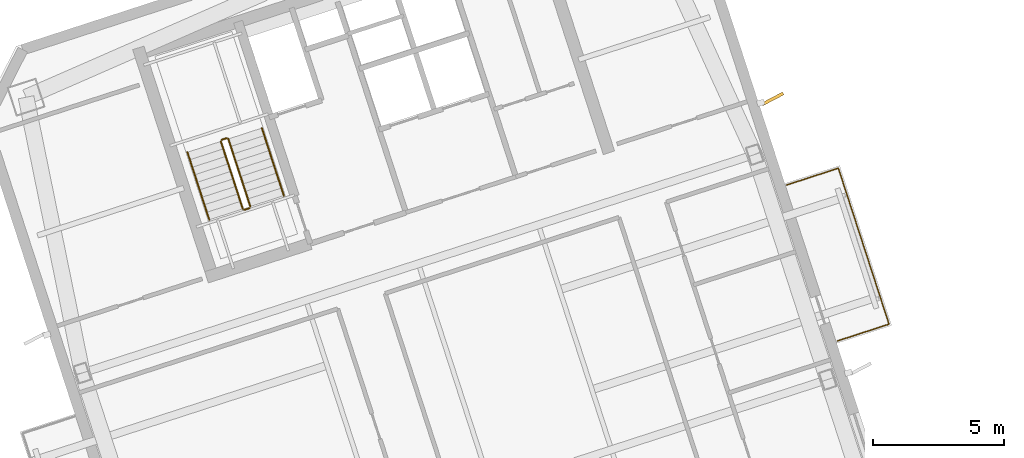
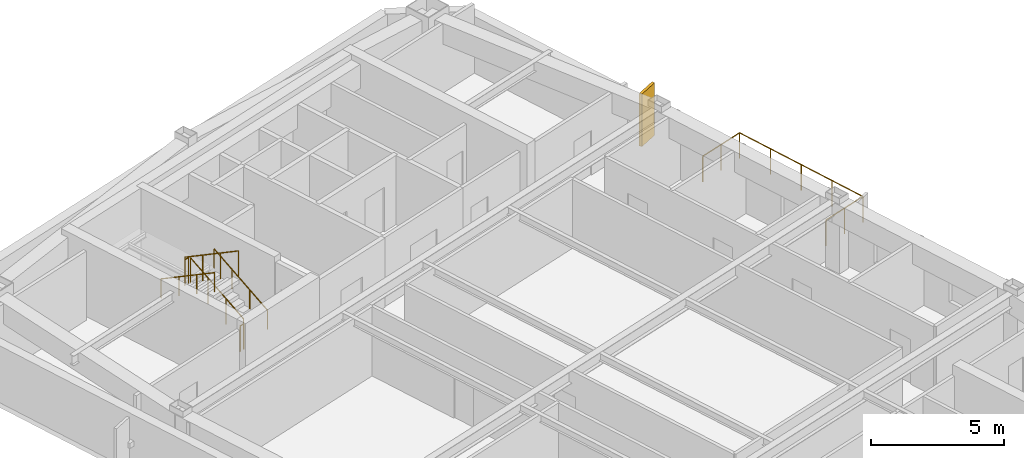
# One storey, part 17 of 17: 7 railings, 1 shading device.
"""IFC4 building model written with IfcOpenShell, lengths in metres."""

from ifc_helpers import new_model, si_unit, direction, frame, origin, origin_2d, place, context, subcontext, project, spatial, rectangle, circle, extrude, material, layer, layer_set, type_object, element, save


model = new_model("IFC4")

# Units and contexts
model_context = context("Model", 3, precision=1e-05, world=origin(), true_north=direction((0.0, 1.0)))
body_context = subcontext(model_context, "Body", "Model", "MODEL_VIEW")
ifc_project = project(units=[si_unit("LENGTHUNIT", "METRE"), si_unit("AREAUNIT", "SQUARE_METRE"), si_unit("VOLUMEUNIT", "CUBIC_METRE"), si_unit("PLANEANGLEUNIT", "RADIAN"), si_unit("MASSUNIT", "GRAM", prefix="KILO")], contexts=[model_context])

# Site, building, storey
site_placement = place(None, origin())
site = spatial("IfcSite", under=ifc_project, at=site_placement, CompositionType="ELEMENT")
building_placement = place(site_placement, origin())
building = spatial("IfcBuilding", under=site, at=building_placement, Name="Qiaolan Cultural Towers", CompositionType="ELEMENT")
storey_placement = place(building_placement, frame((0.0, 0.0, 205.85009765625)))
storey = spatial("IfcBuildingStorey", under=building, at=storey_placement, Name="L55", CompositionType="ELEMENT", Elevation=205.85009765625)

# Railings
ifc_material_1 = material(Name="Laminated SentryGlas & Stainless Steel S31608 Balustrade", Category="steel")
railing_type_1 = type_object("IfcRailingType", Name="GRD-TERR-1200", PredefinedType="BALUSTRADE", material=ifc_material_1)
railing_1_placement = place(storey_placement, frame((103.156982421875, 39.620849609375, 0.0)))
element("IfcRailing", 1, at=railing_1_placement, inside=storey, type_object=railing_type_1, Name="L55 T2 Tree Balcony Guardrail E", PredefinedType="BALUSTRADE", context=body_context, shape_type="SweptSolid", body=[
    extrude(circle(Radius=0.02392578125, at=origin_2d()), frame((0.0, 0.0, 1.17578125), z_axis=(0.951061799618, 0.309000733507, 0.0), x_axis=(-0.309000733507, 0.951061799618, 0.0)), (0.0, 0.0, 1.0), 2.070068359375),
    extrude(circle(Radius=0.02392578125, at=origin_2d()), frame((1.96875, 0.6396484375, 1.17578125), z_axis=(-0.30901175762, 0.951058217804, 0.0), x_axis=(-0.951058217804, -0.30901175762, 0.0)), (0.0, 0.0, 1.0), 6.239990234375),
    extrude(circle(Radius=0.02392578125, at=origin_2d()), frame((0.04052734375, 6.57421875, 1.17578125), z_axis=(-0.951061799618, -0.309000733507, 0.0), x_axis=(0.309000733507, -0.951061799618, 0.0)), (0.0, 0.0, 1.0), 2.070068359375),
    extrude(circle(Radius=0.02099609375, at=origin_2d()), origin(), (0.0, 0.0, 1.0), 1.15185546875),
    extrude(circle(Radius=0.02099609375, at=origin_2d()), frame((0.984375, 0.31982421875, 0.0)), (0.0, 0.0, 1.0), 1.15185546875),
    extrude(circle(Radius=0.02099609375, at=origin_2d()), frame((1.96875, 0.6396484375, 0.0)), (0.0, 0.0, 1.0), 1.15185546875),
    extrude(circle(Radius=0.02099609375, at=origin_2d()), frame((1.48681640625, 2.123291015625, 0.0)), (0.0, 0.0, 1.0), 1.15185546875),
    extrude(circle(Radius=0.02099609375, at=origin_2d()), frame((1.004638671875, 3.60693359375, 0.0)), (0.0, 0.0, 1.0), 1.15185546875),
    extrude(circle(Radius=0.02099609375, at=origin_2d()), frame((0.5224609375, 5.090576171875, 0.0)), (0.0, 0.0, 1.0), 1.15185546875),
    extrude(circle(Radius=0.02099609375, at=origin_2d()), frame((0.04052734375, 6.57421875, 0.0)), (0.0, 0.0, 1.0), 1.15185546875),
    extrude(circle(Radius=0.02099609375, at=origin_2d()), frame((-0.94384765625, 6.25439453125, 0.0)), (0.0, 0.0, 1.0), 1.15185546875),
    extrude(circle(Radius=0.02099609375, at=origin_2d()), frame((-1.92822265625, 5.9345703125, 0.0)), (0.0, 0.0, 1.0), 1.15185546875),
])
ifc_material_2 = material(Name="Galvanized Painted Steel Stair Guardrail", Category="steel")
railing_type_2 = type_object("IfcRailingType", Name="RL-STAIR-GRD", PredefinedType="GUARDRAIL", material=ifc_material_2)
railing_2_placement = place(storey_placement, frame((80.822021484375, 44.739501953125, 0.17236328125)))
element("IfcRailing", 2, at=railing_2_placement, inside=storey, type_object=railing_type_2, Name="L55 ST-E2 stair guard 1", PredefinedType="GUARDRAIL", context=body_context, shape_type="SweptSolid", body=[
    extrude(circle(Radius=0.02392578125, at=origin_2d()), frame((0.0, 0.0, 1.17578125), z_axis=(-0.26785290645, 0.824488402118, 0.498471358535), x_axis=(-0.951069945308, -0.308975661068, 0.0)), (0.0, 0.0, 1.0), 3.114501953125),
    extrude(circle(Radius=0.02099609375, at=origin_2d()), origin(), (0.0, 0.0, 1.0), 1.15185546875),
    extrude(circle(Radius=0.02099609375, at=origin_2d()), frame((-0.278076171875, 0.85595703125, 0.517578125)), (0.0, 0.0, 1.0), 1.15185546875),
    extrude(circle(Radius=0.02099609375, at=origin_2d()), frame((-0.55615234375, 1.7119140625, 1.034912109375)), (0.0, 0.0, 1.0), 1.15185546875),
    extrude(circle(Radius=0.02099609375, at=origin_2d()), frame((-0.834228515625, 2.56787109375, 1.552490234375)), (0.0, 0.0, 1.0), 1.15185546875),
])
railing_3_placement = place(storey_placement, frame((79.9248046875, 47.33935546875, 1.724853515625)))
element("IfcRailing", 3, at=railing_3_placement, inside=storey, type_object=railing_type_2, Name="L55 ST-E2 stair guard 2", PredefinedType="GUARDRAIL", context=body_context, shape_type="SweptSolid", body=[
    extrude(circle(Radius=0.02392578125, at=origin_2d()), frame((0.0, 0.0, 1.17578125), z_axis=(-0.951096855055, -0.308892816854, 0.0), x_axis=(0.308892816854, -0.951096855055, 0.0)), (0.0, 0.0, 1.0), 0.199951171875),
    extrude(circle(Radius=0.02099609375, at=origin_2d()), origin(), (0.0, 0.0, 1.0), 1.15185546875),
    extrude(circle(Radius=0.02099609375, at=origin_2d()), frame((-0.190185546875, -0.061767578125, 0.0)), (0.0, 0.0, 1.0), 1.15185546875),
])
railing_4_placement = place(storey_placement, frame((79.702392578125, 47.214599609375, 1.8974609375)))
element("IfcRailing", 4, at=railing_4_placement, inside=storey, type_object=railing_type_2, Name="L55 ST-E2 stair guard 3", PredefinedType="GUARDRAIL", context=body_context, shape_type="SweptSolid", body=[
    extrude(circle(Radius=0.02392578125, at=origin_2d()), frame((0.0, 0.0, 1.17578125), z_axis=(0.267925668498, -0.824471088726, 0.498460891159), x_axis=(0.951043371037, 0.309057448393, 0.0)), (0.0, 0.0, 1.0), 3.114501953125),
    extrude(circle(Radius=0.02099609375, at=origin_2d()), origin(), (0.0, 0.0, 1.0), 1.15185546875),
    extrude(circle(Radius=0.02099609375, at=origin_2d()), frame((0.278076171875, -0.85595703125, 0.517578125)), (0.0, 0.0, 1.0), 1.15185546875),
    extrude(circle(Radius=0.02099609375, at=origin_2d()), frame((0.556396484375, -1.7119140625, 1.034912109375)), (0.0, 0.0, 1.0), 1.15185546875),
    extrude(circle(Radius=0.02099609375, at=origin_2d()), frame((0.83447265625, -2.56787109375, 1.552490234375)), (0.0, 0.0, 1.0), 1.15185546875),
])
railing_5_placement = place(storey_placement, frame((80.7900390625, 44.676513671875, 0.0)))
element("IfcRailing", 5, at=railing_5_placement, inside=storey, type_object=railing_type_2, Name="L55 ST-E2 stair guard 4", PredefinedType="GUARDRAIL", context=body_context, shape_type="SweptSolid", body=[
    extrude(circle(Radius=0.02392578125, at=origin_2d()), frame((0.0, 0.0, 1.17578125), z_axis=(-0.951096855055, -0.308892816854, 0.0), x_axis=(0.308892816854, -0.951096855055, 0.0)), (0.0, 0.0, 1.0), 0.199951171875),
    extrude(circle(Radius=0.02099609375, at=origin_2d()), origin(), (0.0, 0.0, 1.0), 1.15185546875),
    extrude(circle(Radius=0.02099609375, at=origin_2d()), frame((-0.190185546875, -0.061767578125, 0.0)), (0.0, 0.0, 1.0), 1.15185546875),
])
ifc_material_3 = material(Name="Stainless Steel S30408 Tubular Handrail", Category="steel")
railing_type_3 = type_object("IfcRailingType", Name="RL-STAIR-HR", PredefinedType="HANDRAIL", material=ifc_material_3)
railing_6_placement = place(storey_placement, frame((82.096435546875, 45.153564453125, 0.17236328125)))
element("IfcRailing", 6, at=railing_6_placement, inside=storey, type_object=railing_type_3, Name="L55 ST-E2 stair handrail 1", PredefinedType="HANDRAIL", context=body_context, shape_type="SweptSolid", body=[
    extrude(circle(Radius=0.02392578125, at=origin_2d()), frame((0.0, 0.0, 0.8759765625), z_axis=(-0.26785290645, 0.824488402118, 0.498471358535), x_axis=(-0.951069945308, -0.308975661068, 0.0)), (0.0, 0.0, 1.0), 3.114501953125),
    extrude(circle(Radius=0.02099609375, at=origin_2d()), origin(), (0.0, 0.0, 1.0), 0.851806640625),
    extrude(circle(Radius=0.02099609375, at=origin_2d()), frame((-0.278076171875, 0.85595703125, 0.517578125)), (0.0, 0.0, 1.0), 0.851806640625),
    extrude(circle(Radius=0.02099609375, at=origin_2d()), frame((-0.55615234375, 1.7119140625, 1.034912109375)), (0.0, 0.0, 1.0), 0.851806640625),
    extrude(circle(Radius=0.02099609375, at=origin_2d()), frame((-0.834228515625, 2.56787109375, 1.552490234375)), (0.0, 0.0, 1.0), 0.851806640625),
])
railing_7_placement = place(storey_placement, frame((78.427978515625, 46.800537109375, 1.8974609375)))
element("IfcRailing", 7, at=railing_7_placement, inside=storey, type_object=railing_type_3, Name="L55 ST-E2 stair handrail 2", PredefinedType="HANDRAIL", context=body_context, shape_type="SweptSolid", body=[
    extrude(circle(Radius=0.02392578125, at=origin_2d()), frame((0.0, 0.0, 0.8759765625), z_axis=(0.267925668498, -0.824471088726, 0.498460891159), x_axis=(0.951043371037, 0.309057448393, 0.0)), (0.0, 0.0, 1.0), 3.114501953125),
    extrude(circle(Radius=0.02099609375, at=origin_2d()), origin(), (0.0, 0.0, 1.0), 0.851806640625),
    extrude(circle(Radius=0.02099609375, at=origin_2d()), frame((0.278076171875, -0.85595703125, 0.517578125)), (0.0, 0.0, 1.0), 0.851806640625),
    extrude(circle(Radius=0.02099609375, at=origin_2d()), frame((0.556396484375, -1.7119140625, 1.034912109375)), (0.0, 0.0, 1.0), 0.851806640625),
    extrude(circle(Radius=0.02099609375, at=origin_2d()), frame((0.83447265625, -2.56787109375, 1.552490234375)), (0.0, 0.0, 1.0), 0.851806640625),
])

# Shading device
ifc_material_4 = material(Name="Light Limestone Precast Vertical Fin", Category="masonry")
ifc_layer = layer(ifc_material_4, 0.1201171875)
ifc_layer_set = layer_set([ifc_layer], Name="Light Limestone Precast Vertical Fin")
shading_device_type = type_object("IfcShadingDeviceType", Name="SHD-FIN-WHITE", PredefinedType="USERDEFINED", material=ifc_layer_set)
shading_device_placement = place(storey_placement, frame((100.7001953125, 48.83251953125, 0.10009765625), z_axis=(0.0, 0.0, 1.0), x_axis=(0.885865233539, 0.463942655947, 0.0)))
element("IfcShadingDevice", 8, at=shading_device_placement, inside=storey, type_object=shading_device_type, Name="L55 T2 Expressive Precast Vertical Fin E3", ObjectType="FIN", PredefinedType="USERDEFINED", context=body_context, shape_type="SweptSolid", body=[
    extrude(rectangle(XDim=0.89990234375, YDim=0.1201171875, at=origin_2d()), origin(), (0.0, 0.0, 1.0), 2.409912109375),
])

save(model, "model.ifc")
